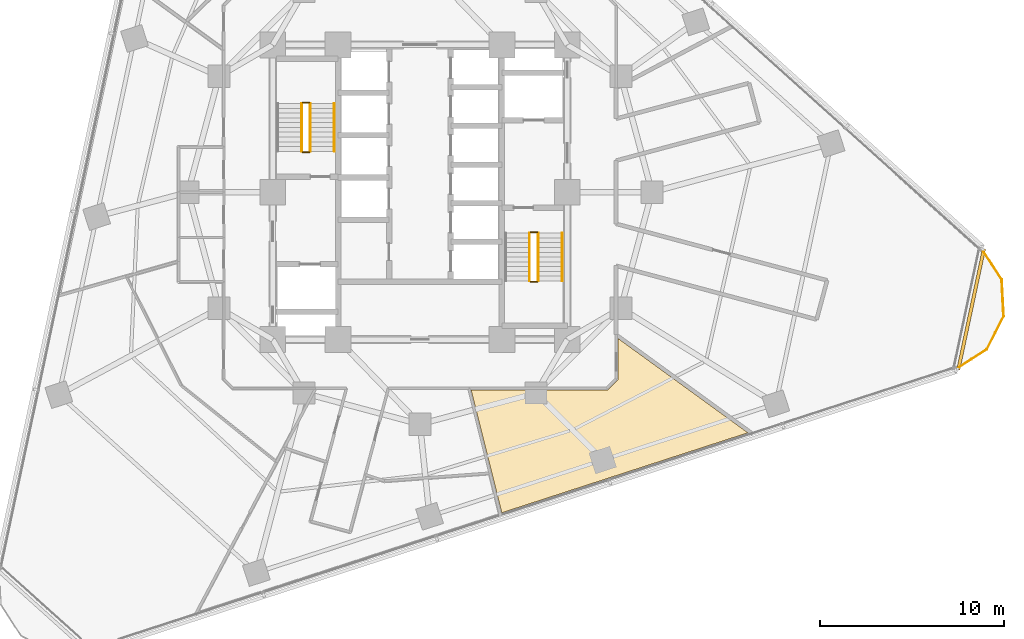
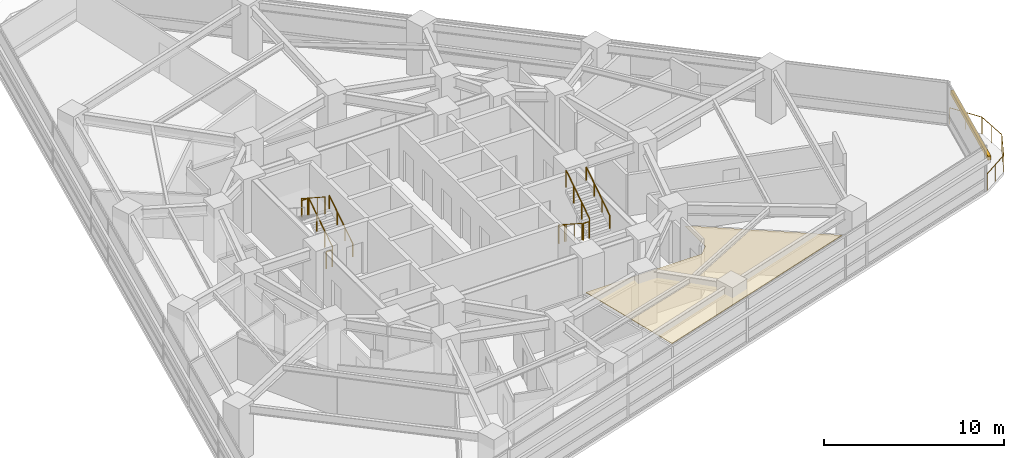
# One storey, part 12 of 13: 11 railings, 1 covering, 1 shading device.
"""IFC4 building model written with IfcOpenShell, lengths in metres."""

import ifcopenshell
import ifcopenshell.guid

model = None  # the IFC model being written
_history = None  # IfcOwnerHistory: only IFC2X3 demands one
_inside = {}  # id of a spatial element -> (the spatial element, [elements in it])
_under = {}  # id of a project, library or spatial element -> (it, [spatial elements below it])
_declared = {}  # id of a project -> (the project, [libraries it declares])
_typed = {}  # id of a type object -> (the type object, [elements of that type])
_made_of = {}  # id of a material, layer set ... -> (it, [elements and type objects made of it])


def new_model(schema):
    """Start an empty IFC model of exactly this schema.

    Asked for "IFC4X3", IfcOpenShell would pick the latest addendum, in which some entities
    have other attributes; the version numbers below select the first issue.
    IFC2X3 requires an IfcOwnerHistory on every rooted entity: one is made here for all.
    """
    global model, _history
    if schema == "IFC4X3":
        model = ifcopenshell.file(schema_version=(4, 3, 0, 0))
    else:
        model = ifcopenshell.file(schema=schema)
    _inside.clear()
    _under.clear()
    _declared.clear()
    _typed.clear()
    _made_of.clear()
    _history = None
    if model.schema == "IFC2X3":
        org = make("IfcOrganization", Name="unknown")
        user = make(
            "IfcPersonAndOrganization",
            ThePerson=make("IfcPerson", FamilyName="unknown"),
            TheOrganization=org,
        )
        app = make(
            "IfcApplication",
            ApplicationDeveloper=org,
            Version="unknown",
            ApplicationFullName="unknown",
            ApplicationIdentifier="unknown",
        )
        _history = make(
            "IfcOwnerHistory",
            OwningUser=user,
            OwningApplication=app,
            ChangeAction="ADDED",
            CreationDate=0,
        )
    return model


def make(cls, **values):
    """One entity of the class cls with the attributes given. An attribute that is None is left unset."""
    return model.create_entity(
        cls, **{name: value for name, value in values.items() if value is not None}
    )


def rooted(cls, **values):
    """An entity with a GlobalId (a new one), such as an element, a storey or a relation."""
    return make(cls, GlobalId=ifcopenshell.guid.new(), OwnerHistory=_history, **values)


def si_unit(unit_type, name, prefix=None):
    """IfcSIUnit, for example si_unit("LENGTHUNIT", "METRE", prefix="MILLI")."""
    return make("IfcSIUnit", UnitType=unit_type, Prefix=prefix, Name=name)


def assignment(units):
    """IfcUnitAssignment: the units of a project."""
    return None if units is None else make("IfcUnitAssignment", Units=units)


def point(xyz):
    """IfcCartesianPoint."""
    return None if xyz is None else make("IfcCartesianPoint", Coordinates=xyz)


def direction(xyz):
    """IfcDirection."""
    return None if xyz is None else make("IfcDirection", DirectionRatios=xyz)


def frame(location, z_axis=None, x_axis=None):
    """IfcAxis2Placement3D, a coordinate frame: its origin and axes. An axis left out is left unset."""
    return make(
        "IfcAxis2Placement3D",
        Location=point(location),
        Axis=direction(z_axis),
        RefDirection=direction(x_axis),
    )


def frame_2d(location, x_axis=None):
    """IfcAxis2Placement2D, a coordinate frame in the plane: its origin and x axis."""
    return make(
        "IfcAxis2Placement2D", Location=point(location), RefDirection=direction(x_axis)
    )


def origin():
    """The frame at (0, 0, 0) with its axes left unset."""
    return frame((0.0, 0.0, 0.0))


def origin_2d():
    """The frame at (0, 0) in the plane with its x axis left unset."""
    return frame_2d((0.0, 0.0))


def place(relative_to, where):
    """IfcLocalPlacement: puts the frame where relative to a parent placement (None: the world)."""
    return make(
        "IfcLocalPlacement", PlacementRelTo=relative_to, RelativePlacement=where
    )


def context(
    kind, dimensions, precision=None, world=None, true_north=None, identifier=None
):
    """IfcGeometricRepresentationContext, for example the 3D "Model" context."""
    return make(
        "IfcGeometricRepresentationContext",
        ContextIdentifier=identifier,
        ContextType=kind,
        CoordinateSpaceDimension=dimensions,
        Precision=precision,
        WorldCoordinateSystem=world,
        TrueNorth=true_north,
    )


def subcontext(parent, identifier, kind, view, scale=None):
    """IfcGeometricRepresentationSubContext, for example "Body" below "Model"."""
    return make(
        "IfcGeometricRepresentationSubContext",
        ContextIdentifier=identifier,
        ContextType=kind,
        ParentContext=parent,
        TargetScale=scale,
        TargetView=view,
    )


def project(units=None, contexts=None):
    """IfcProject with its units and contexts."""
    return rooted(
        "IfcProject",
        Name="project",
        RepresentationContexts=contexts,
        UnitsInContext=assignment(units),
    )


def spatial(cls, under=None, at=None, **own):
    """A site, building, storey or space (cls), placed at a placement, below another one or the project."""
    s = rooted(cls, ObjectPlacement=at, **own)
    if under is not None:
        _under.setdefault(under.id(), (under, []))[1].append(s)
    return s


def polyline(points):
    """IfcPolyline through the points."""
    return make("IfcPolyline", Points=[point(p) for p in points])


def profile(cls, at=None, kind="AREA", **sizes):
    """A parametric profile (cls). Its sizes go by their IFC names, for example OverallWidth=200.0."""
    return make(cls, ProfileType=kind, Position=at, **sizes)


def rectangle(**sizes):
    """IfcRectangleProfileDef."""
    return profile("IfcRectangleProfileDef", **sizes)


def circle(**sizes):
    """IfcCircleProfileDef."""
    return profile("IfcCircleProfileDef", **sizes)


def outline(outer, holes=None, kind="AREA"):
    """IfcArbitraryClosedProfileDef: a profile drawn as a closed curve; with holes, ...WithVoids."""
    if holes is None:
        return make("IfcArbitraryClosedProfileDef", ProfileType=kind, OuterCurve=outer)
    return make(
        "IfcArbitraryProfileDefWithVoids",
        ProfileType=kind,
        OuterCurve=outer,
        InnerCurves=holes,
    )


def extrude(swept, where, along, depth):
    """IfcExtrudedAreaSolid: the profile swept, set in the frame where, extruded along a direction by depth."""
    return make(
        "IfcExtrudedAreaSolid",
        SweptArea=swept,
        Position=where,
        ExtrudedDirection=direction(along),
        Depth=depth,
    )


def shape(context_of_items, identifier, shape_type, items):
    """IfcShapeRepresentation: the items that make up one representation, for example the "Body"."""
    return make(
        "IfcShapeRepresentation",
        ContextOfItems=context_of_items,
        RepresentationIdentifier=identifier,
        RepresentationType=shape_type,
        Items=items,
    )


def material(Name=None, Category=None):
    """IfcMaterial."""
    return make("IfcMaterial", Name=Name, Category=Category)


def layer(
    of_material, thickness, ventilated=None, Name=None, Category=None, Priority=None
):
    """IfcMaterialLayer: one layer of a wall or slab, of a material (None: an air gap)."""
    return make(
        "IfcMaterialLayer",
        Material=of_material,
        LayerThickness=thickness,
        IsVentilated=ventilated,
        Name=Name,
        Category=Category,
        Priority=Priority,
    )


def layer_set(layers, Name=None):
    """IfcMaterialLayerSet."""
    return make("IfcMaterialLayerSet", MaterialLayers=layers, LayerSetName=Name)


def made_of(thing, what):
    """Note that an element or type object is made of a material, layer set ...; save() writes the relation."""
    if what is not None:
        _made_of.setdefault(what.id(), (what, []))[1].append(thing)
    return thing


def type_object(cls, material=None, **own):
    """A type object (cls), such as IfcWallType, which elements share."""
    return made_of(rooted(cls, **own), material)


def element(
    cls,
    number,
    at=None,
    inside=None,
    cuts=None,
    type_object=None,
    material=None,
    context=None,
    identifier="Body",
    shape_type=None,
    held_by="IfcProductDefinitionShape",
    body=None,
    shapes=None,
    **own,
):
    """One element of the class cls, such as IfcWall. Its Tag is "e" and its number.

    at: its placement. inside: the storey or other place that contains it. cuts: it is an
    opening in that element (IfcRelVoidsElement). A single representation is given by context,
    identifier, shape_type and body (its items); several are given by shapes. held_by: the class
    of the entity that holds the representations. save() writes the other relations.
    """
    e = rooted(cls, Tag="e%d" % number, ObjectPlacement=at, **own)
    if body is not None:
        shapes = [shape(context, identifier, shape_type, body)]
    if shapes is not None:
        e.Representation = make(held_by, Representations=shapes)
    if inside is not None:
        _inside.setdefault(inside.id(), (inside, []))[1].append(e)
    if cuts is not None:
        rooted(
            "IfcRelVoidsElement", RelatingBuildingElement=cuts, RelatedOpeningElement=e
        )
    if type_object is not None:
        _typed.setdefault(type_object.id(), (type_object, []))[1].append(e)
    return made_of(e, material)


def aggregate(whole, parts):
    """IfcRelAggregates: a whole, such as a stair, and the parts it consists of."""
    return rooted("IfcRelAggregates", RelatingObject=whole, RelatedObjects=parts)


def save(model, path):
    """Write the relations noted so far, then the file.

    IfcRelAggregates (storeys below a building ...), IfcRelContainedInSpatialStructure (elements
    in a storey), IfcRelDefinesByType, IfcRelAssociatesMaterial and IfcRelDeclares: one each for
    every whole, place, type object, material and project.
    """
    for whole, parts in _under.values():
        aggregate(whole, parts)
    for where, things in _inside.values():
        rooted(
            "IfcRelContainedInSpatialStructure",
            RelatedElements=things,
            RelatingStructure=where,
        )
    for kind, things in _typed.values():
        rooted("IfcRelDefinesByType", RelatedObjects=things, RelatingType=kind)
    for what, things in _made_of.values():
        rooted("IfcRelAssociatesMaterial", RelatedObjects=things, RelatingMaterial=what)
    for by, libraries in _declared.values():
        rooted("IfcRelDeclares", RelatingContext=by, RelatedDefinitions=libraries)
    model.write(path)


model = new_model("IFC4")

# Units and contexts
model_context = context("Model", 3, precision=1e-05, world=origin(), true_north=direction((0.0, 1.0)))
body_context = subcontext(model_context, "Body", "Model", "MODEL_VIEW")
ifc_project = project(units=[si_unit("LENGTHUNIT", "METRE"), si_unit("AREAUNIT", "SQUARE_METRE"), si_unit("VOLUMEUNIT", "CUBIC_METRE"), si_unit("PLANEANGLEUNIT", "RADIAN"), si_unit("MASSUNIT", "GRAM", prefix="KILO")], contexts=[model_context])

# Site, building, storey
site_placement = place(None, origin())
site = spatial("IfcSite", under=ifc_project, at=site_placement, CompositionType="ELEMENT")
building_placement = place(site_placement, origin())
building = spatial("IfcBuilding", under=site, at=building_placement, Name="Terralouvre Media Tower", CompositionType="ELEMENT")
storey_placement = place(building_placement, frame((0.0, 0.0, 90.300048828125)))
storey = spatial("IfcBuildingStorey", under=building, at=storey_placement, Name="L22", CompositionType="ELEMENT", Elevation=90.300048828125)

# Covering
ifc_material_1 = material(Name="Perforated aluminium acoustic ceiling baffle", Category="aluminium")
ifc_layer_1 = layer(ifc_material_1, 0.0400390625, Name="Perforated Acoustic Metal Tile Ceiling CL-AC1")
ifc_layer_set_1 = layer_set([ifc_layer_1], Name="Perforated aluminium acoustic ceiling baffle")
covering_type = type_object("IfcCoveringType", Name="Perforated Acoustic Metal Tile Ceiling CL-AC1", PredefinedType="CEILING", material=ifc_layer_set_1)
covering_placement = place(storey_placement, frame((0.0, 0.0, 2.97998046875), z_axis=(0.0, 0.0, 1.0), x_axis=(0.951056516295, 0.309016994375, 0.0)))
element("IfcCovering", 1, at=covering_placement, inside=storey, type_object=covering_type, Name="L22 Post Schedule Office 7 Acoustic Ceiling", PredefinedType="CEILING", context=body_context, shape_type="SweptSolid", body=[
    extrude(outline(polyline([(7.08740234375, -12.97509765625), (7.083740234375, -12.984375), (7.07958984375, -12.9931640625), (7.07421875, -13.00146484375), (7.068359375, -13.00927734375), (7.0615234375, -13.016357421875), (7.05419921875, -13.022705078125), (7.046142578125, -13.0283203125), (7.03759765625, -13.033447265625), (6.407470703125, -13.354248046875), (6.398681640625, -13.3583984375), (6.389404296875, -13.361572265625), (6.379638671875, -13.36376953125), (6.3701171875, -13.364990234375), (6.360107421875, -13.365234375), (6.350341796875, -13.364501953125), (6.3408203125, -13.363037109375), (6.331298828125, -13.3603515625), (-0.675048828125, -11.083740234375), (-0.996826171875, -15.69189453125), (-1.153564453125, -17.931884765625), (12.90478515625, -17.931884765625), (7.77197265625, -10.867919921875), (7.08740234375, -12.97509765625)])), origin(), (0.0, 0.0, 1.0), 0.0400390625),
])

# Railings
ifc_material_2 = material(Name="Stainless steel 316 handrail and balustrade", Category="steel")
ifc_layer_2 = layer(ifc_material_2, 0.06005859375, Name="Roof Edge Safety Guardrail GR-ROOF1")
ifc_layer_set_2 = layer_set([ifc_layer_2], Name="Stainless steel 316 handrail and balustrade")
railing_type_1 = type_object("IfcRailingType", Name="Roof Edge Safety Guardrail GR-ROOF1", PredefinedType="GUARDRAIL", material=ifc_layer_set_2)
railing_1_placement = place(storey_placement, frame((29.105224609375, -9.6201171875, 0.0)))
element("IfcRailing", 2, at=railing_1_placement, inside=storey, type_object=railing_type_1, Name="L22 Wind-Corner Perimeter Safety Guardrail C1", PredefinedType="GUARDRAIL", context=body_context, shape_type="SweptSolid", body=[
    extrude(circle(Radius=0.02099609375, at=origin_2d()), frame((0.0, 0.0, 1.12890625), z_axis=(0.838760176544, 0.544501025016, 0.0), x_axis=(-0.544501025016, 0.838760176544, 0.0)), (0.0, 0.0, 1.0), 2.0078125),
    extrude(circle(Radius=0.02099609375, at=origin_2d()), frame((1.68408203125, 1.09326171875, 1.12890625), z_axis=(0.454107952828, 0.890946669099, 0.0), x_axis=(-0.890946669099, 0.454107952828, 0.0)), (0.0, 0.0, 1.0), 2.007568359375),
    extrude(circle(Radius=0.02099609375, at=origin_2d()), frame((2.595703125, 2.8818359375, 1.12890625), z_axis=(-0.052412032372, 0.998625544868, 0.0), x_axis=(-0.998625544868, -0.052412032372, 0.0)), (0.0, 0.0, 1.0), 2.007568359375),
    extrude(circle(Radius=0.02099609375, at=origin_2d()), frame((2.490478515625, 4.88671875, 1.12890625), z_axis=(-0.544868673015, 0.838521394579, 0.0), x_axis=(-0.838521394579, -0.544868673015, 0.0)), (0.0, 0.0, 1.0), 2.0078125),
    extrude(circle(Radius=0.01904296875, at=origin_2d()), origin(), (0.0, 0.0, 1.0), 1.10791015625),
    extrude(circle(Radius=0.01904296875, at=origin_2d()), frame((0.842041015625, 0.546630859375, 0.0)), (0.0, 0.0, 1.0), 1.10791015625),
    extrude(circle(Radius=0.01904296875, at=origin_2d()), frame((1.68408203125, 1.09326171875, 0.0)), (0.0, 0.0, 1.0), 1.10791015625),
    extrude(circle(Radius=0.01904296875, at=origin_2d()), frame((2.139892578125, 1.987548828125, 0.0)), (0.0, 0.0, 1.0), 1.10791015625),
    extrude(circle(Radius=0.01904296875, at=origin_2d()), frame((2.595703125, 2.8818359375, 0.0)), (0.0, 0.0, 1.0), 1.10791015625),
    extrude(circle(Radius=0.01904296875, at=origin_2d()), frame((2.54296875, 3.88427734375, 0.0)), (0.0, 0.0, 1.0), 1.10791015625),
    extrude(circle(Radius=0.01904296875, at=origin_2d()), frame((2.490478515625, 4.88671875, 0.0)), (0.0, 0.0, 1.0), 1.10791015625),
    extrude(circle(Radius=0.01904296875, at=origin_2d()), frame((1.943359375, 5.728515625, 0.0)), (0.0, 0.0, 1.0), 1.10791015625),
    extrude(circle(Radius=0.01904296875, at=origin_2d()), frame((1.396484375, 6.5703125, 0.0)), (0.0, 0.0, 1.0), 1.10791015625),
])
ifc_material_3 = material(Name="Stainless steel 316 handrail and balustrade", Category="steel")
ifc_layer_3 = layer(ifc_material_3, 0.050048828125, Name="Stair Flight Wall Handrail HR-INT1")
ifc_layer_set_3 = layer_set([ifc_layer_3], Name="Stainless steel 316 handrail and balustrade")
railing_type_2 = type_object("IfcRailingType", Name="Stair Flight Wall Handrail HR-INT1", PredefinedType="HANDRAIL", material=ifc_layer_set_3)
railing_2_placement = place(storey_placement, frame((-4.64990234375, 2.219970703125, 0.168212890625)))
element("IfcRailing", 3, at=railing_2_placement, inside=storey, type_object=railing_type_2, Name="L22 ST-01 stair handrail 1", PredefinedType="HANDRAIL", context=body_context, shape_type="SweptSolid", body=[
    extrude(circle(Radius=0.02392578125, at=origin_2d()), frame((0.0, 0.0, 0.8759765625), z_axis=(0.0, 0.839684365666, 0.543074733399), x_axis=(-1.0, 0.0, 0.0)), (0.0, 0.0, 1.0), 3.096435546875),
    extrude(circle(Radius=0.02099609375, at=origin_2d()), origin(), (0.0, 0.0, 1.0), 0.851806640625),
    extrude(circle(Radius=0.02099609375, at=origin_2d()), frame((0.0, 0.86669921875, 0.560546875)), (0.0, 0.0, 1.0), 0.851806640625),
    extrude(circle(Radius=0.02099609375, at=origin_2d()), frame((0.0, 1.7333984375, 1.12109375)), (0.0, 0.0, 1.0), 0.851806640625),
    extrude(circle(Radius=0.02099609375, at=origin_2d()), frame((0.0, 2.60009765625, 1.681640625)), (0.0, 0.0, 1.0), 0.851806640625),
])
railing_3_placement = place(storey_placement, frame((7.72998046875, -4.820068359375, 2.01806640625)))
element("IfcRailing", 4, at=railing_3_placement, inside=storey, type_object=railing_type_2, Name="L22 ST-02 stair handrail 2", PredefinedType="HANDRAIL", context=body_context, shape_type="SweptSolid", body=[
    extrude(circle(Radius=0.02392578125, at=origin_2d()), frame((0.0, 0.0, 0.8759765625), z_axis=(0.0, 0.839648411786, 0.543130320075), x_axis=(-1.0, 0.0, 0.0)), (0.0, 0.0, 1.0), 3.0966796875),
    extrude(circle(Radius=0.02099609375, at=origin_2d()), origin(), (0.0, 0.0, 1.0), 0.851806640625),
    extrude(circle(Radius=0.02099609375, at=origin_2d()), frame((0.0, 0.86669921875, 0.560546875)), (0.0, 0.0, 1.0), 0.851806640625),
    extrude(circle(Radius=0.02099609375, at=origin_2d()), frame((0.0, 1.7333984375, 1.121337890625)), (0.0, 0.0, 1.0), 0.851806640625),
    extrude(circle(Radius=0.02099609375, at=origin_2d()), frame((0.0, 2.60009765625, 1.681884765625)), (0.0, 0.0, 1.0), 0.851806640625),
])
ifc_material_4 = material(Name="Stainless steel 316 handrail and balustrade", Category="steel")
ifc_layer_4 = layer(ifc_material_4, 0.050048828125, Name="Stairwell Safety Guardrail GR-INT1")
ifc_layer_set_4 = layer_set([ifc_layer_4], Name="Stainless steel 316 handrail and balustrade")
railing_type_3 = type_object("IfcRailingType", Name="Stairwell Safety Guardrail GR-INT1", PredefinedType="GUARDRAIL", material=ifc_layer_set_4)
railing_4_placement = place(storey_placement, frame((-5.949951171875, 2.219970703125, 0.168212890625)))
element("IfcRailing", 5, at=railing_4_placement, inside=storey, type_object=railing_type_3, Name="L22 ST-01 stair guard 1", PredefinedType="GUARDRAIL", context=body_context, shape_type="SweptSolid", body=[
    extrude(circle(Radius=0.02392578125, at=origin_2d()), frame((0.0, 0.0, 1.1259765625), z_axis=(0.0, 0.839684365666, 0.543074733399), x_axis=(-1.0, 0.0, 0.0)), (0.0, 0.0, 1.0), 3.096435546875),
    extrude(circle(Radius=0.02099609375, at=origin_2d()), origin(), (0.0, 0.0, 1.0), 1.101806640625),
    extrude(circle(Radius=0.02099609375, at=origin_2d()), frame((0.0, 0.86669921875, 0.560546875)), (0.0, 0.0, 1.0), 1.101806640625),
    extrude(circle(Radius=0.02099609375, at=origin_2d()), frame((0.0, 1.7333984375, 1.12109375)), (0.0, 0.0, 1.0), 1.101806640625),
    extrude(circle(Radius=0.02099609375, at=origin_2d()), frame((0.0, 2.60009765625, 1.681640625)), (0.0, 0.0, 1.0), 1.101806640625),
])
railing_5_placement = place(storey_placement, frame((-6.0, 4.8701171875, 1.849853515625)))
element("IfcRailing", 6, at=railing_5_placement, inside=storey, type_object=railing_type_3, Name="L22 ST-01 stair guard 2", PredefinedType="GUARDRAIL", context=body_context, shape_type="SweptSolid", body=[
    extrude(circle(Radius=0.02392578125, at=origin_2d()), frame((0.0, 0.0, 1.1259765625), z_axis=(-1.0, 0.0, 0.0), x_axis=(0.0, -1.0, 0.0)), (0.0, 0.0, 1.0), 0.3798828125),
    extrude(circle(Radius=0.02099609375, at=origin_2d()), origin(), (0.0, 0.0, 1.0), 1.101806640625),
    extrude(circle(Radius=0.02099609375, at=origin_2d()), frame((-0.3798828125, 0.0, 0.0)), (0.0, 0.0, 1.0), 1.101806640625),
])
railing_6_placement = place(storey_placement, frame((-6.429931640625, 4.820068359375, 2.01806640625)))
element("IfcRailing", 7, at=railing_6_placement, inside=storey, type_object=railing_type_3, Name="L22 ST-01 stair guard 3", PredefinedType="GUARDRAIL", context=body_context, shape_type="SweptSolid", body=[
    extrude(circle(Radius=0.02392578125, at=origin_2d()), frame((0.0, 0.0, 1.1259765625), z_axis=(0.0, -0.839648411786, 0.543130320075), x_axis=(1.0, 0.0, 0.0)), (0.0, 0.0, 1.0), 3.0966796875),
    extrude(circle(Radius=0.02099609375, at=origin_2d()), origin(), (0.0, 0.0, 1.0), 1.101806640625),
    extrude(circle(Radius=0.02099609375, at=origin_2d()), frame((0.0, -0.86669921875, 0.560546875)), (0.0, 0.0, 1.0), 1.101806640625),
    extrude(circle(Radius=0.02099609375, at=origin_2d()), frame((0.0, -1.7333984375, 1.121337890625)), (0.0, 0.0, 1.0), 1.101806640625),
    extrude(circle(Radius=0.02099609375, at=origin_2d()), frame((0.0, -2.60009765625, 1.681884765625)), (0.0, 0.0, 1.0), 1.101806640625),
])
railing_7_placement = place(storey_placement, frame((-6.0, 2.169921875, 0.0)))
element("IfcRailing", 8, at=railing_7_placement, inside=storey, type_object=railing_type_3, Name="L22 ST-01 stair guard 4", PredefinedType="GUARDRAIL", context=body_context, shape_type="SweptSolid", body=[
    extrude(circle(Radius=0.02392578125, at=origin_2d()), frame((0.0, 0.0, 1.1259765625), z_axis=(-1.0, 0.0, 0.0), x_axis=(0.0, -1.0, 0.0)), (0.0, 0.0, 1.0), 0.3798828125),
    extrude(circle(Radius=0.02099609375, at=origin_2d()), origin(), (0.0, 0.0, 1.0), 1.101806640625),
    extrude(circle(Radius=0.02099609375, at=origin_2d()), frame((-0.3798828125, 0.0, 0.0)), (0.0, 0.0, 1.0), 1.101806640625),
])
railing_8_placement = place(storey_placement, frame((5.949951171875, -2.219970703125, 0.168212890625)))
element("IfcRailing", 9, at=railing_8_placement, inside=storey, type_object=railing_type_3, Name="L22 ST-02 stair guard 1", PredefinedType="GUARDRAIL", context=body_context, shape_type="SweptSolid", body=[
    extrude(circle(Radius=0.02392578125, at=origin_2d()), frame((0.0, 0.0, 1.1259765625), z_axis=(0.0, -0.839684365666, 0.543074733399), x_axis=(1.0, 0.0, 0.0)), (0.0, 0.0, 1.0), 3.096435546875),
    extrude(circle(Radius=0.02099609375, at=origin_2d()), origin(), (0.0, 0.0, 1.0), 1.101806640625),
    extrude(circle(Radius=0.02099609375, at=origin_2d()), frame((0.0, -0.86669921875, 0.560546875)), (0.0, 0.0, 1.0), 1.101806640625),
    extrude(circle(Radius=0.02099609375, at=origin_2d()), frame((0.0, -1.7333984375, 1.12109375)), (0.0, 0.0, 1.0), 1.101806640625),
    extrude(circle(Radius=0.02099609375, at=origin_2d()), frame((0.0, -2.60009765625, 1.681640625)), (0.0, 0.0, 1.0), 1.101806640625),
])
railing_9_placement = place(storey_placement, frame((6.0, -4.8701171875, 1.849853515625)))
element("IfcRailing", 10, at=railing_9_placement, inside=storey, type_object=railing_type_3, Name="L22 ST-02 stair guard 2", PredefinedType="GUARDRAIL", context=body_context, shape_type="SweptSolid", body=[
    extrude(circle(Radius=0.02392578125, at=origin_2d()), frame((0.0, 0.0, 1.1259765625), z_axis=(1.0, 0.0, 0.0), x_axis=(0.0, 1.0, 0.0)), (0.0, 0.0, 1.0), 0.3798828125),
    extrude(circle(Radius=0.02099609375, at=origin_2d()), origin(), (0.0, 0.0, 1.0), 1.101806640625),
    extrude(circle(Radius=0.02099609375, at=origin_2d()), frame((0.3798828125, 0.0, 0.0)), (0.0, 0.0, 1.0), 1.101806640625),
])
railing_10_placement = place(storey_placement, frame((6.429931640625, -4.820068359375, 2.01806640625)))
element("IfcRailing", 11, at=railing_10_placement, inside=storey, type_object=railing_type_3, Name="L22 ST-02 stair guard 3", PredefinedType="GUARDRAIL", context=body_context, shape_type="SweptSolid", body=[
    extrude(circle(Radius=0.02392578125, at=origin_2d()), frame((0.0, 0.0, 1.1259765625), z_axis=(0.0, 0.839648411786, 0.543130320075), x_axis=(-1.0, 0.0, 0.0)), (0.0, 0.0, 1.0), 3.0966796875),
    extrude(circle(Radius=0.02099609375, at=origin_2d()), origin(), (0.0, 0.0, 1.0), 1.101806640625),
    extrude(circle(Radius=0.02099609375, at=origin_2d()), frame((0.0, 0.86669921875, 0.560546875)), (0.0, 0.0, 1.0), 1.101806640625),
    extrude(circle(Radius=0.02099609375, at=origin_2d()), frame((0.0, 1.7333984375, 1.121337890625)), (0.0, 0.0, 1.0), 1.101806640625),
    extrude(circle(Radius=0.02099609375, at=origin_2d()), frame((0.0, 2.60009765625, 1.681884765625)), (0.0, 0.0, 1.0), 1.101806640625),
])
railing_11_placement = place(storey_placement, frame((6.0, -2.169921875, 0.0)))
element("IfcRailing", 12, at=railing_11_placement, inside=storey, type_object=railing_type_3, Name="L22 ST-02 stair guard 4", PredefinedType="GUARDRAIL", context=body_context, shape_type="SweptSolid", body=[
    extrude(circle(Radius=0.02392578125, at=origin_2d()), frame((0.0, 0.0, 1.1259765625), z_axis=(1.0, 0.0, 0.0), x_axis=(0.0, 1.0, 0.0)), (0.0, 0.0, 1.0), 0.3798828125),
    extrude(circle(Radius=0.02099609375, at=origin_2d()), origin(), (0.0, 0.0, 1.0), 1.101806640625),
    extrude(circle(Radius=0.02099609375, at=origin_2d()), frame((0.3798828125, 0.0, 0.0)), (0.0, 0.0, 1.0), 1.101806640625),
])

# Shading device
ifc_material_5 = material(Name="Extruded terracotta baguette sunshade louvres", Category="masonry")
shading_device_type = type_object("IfcShadingDeviceType", Name="Terracotta Baguette Sunshade Louvre Screen TB-LV1", PredefinedType="USERDEFINED", material=ifc_material_5)
shading_device_placement = place(storey_placement, frame((29.935302734375, -6.363037109375, 2.02392578125), z_axis=(0.0, 0.0, 1.0), x_axis=(0.207911611348, 0.978147617626, 0.0)))
element("IfcShadingDevice", 13, at=shading_device_placement, inside=storey, type_object=shading_device_type, Name="CW-L22-C1 Terracotta Baguette Sunshade Louvre", ObjectType="BAGUETTE", PredefinedType="USERDEFINED", context=body_context, shape_type="SweptSolid", body=[
    extrude(rectangle(XDim=6.720458984375, YDim=0.179931640625, at=origin_2d()), origin(), (0.0, 0.0, 1.0), 0.280029296875),
])

save(model, "model.ifc")
